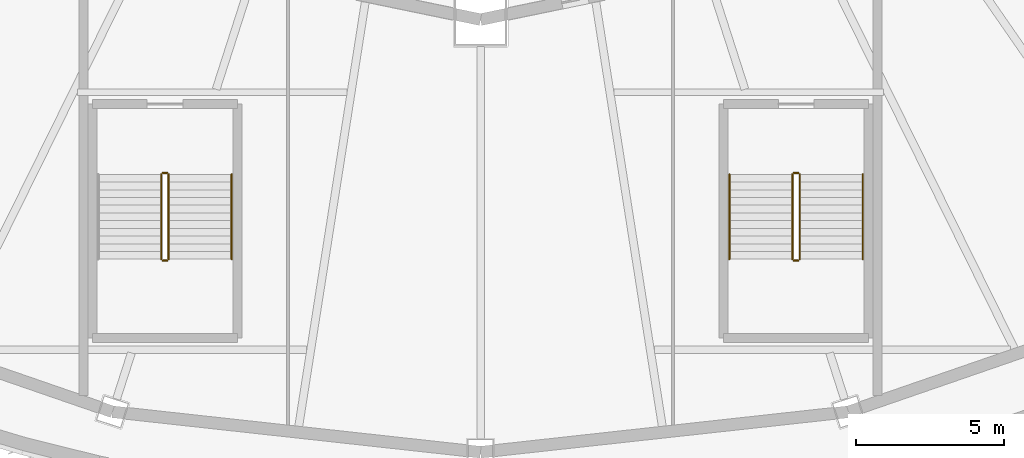
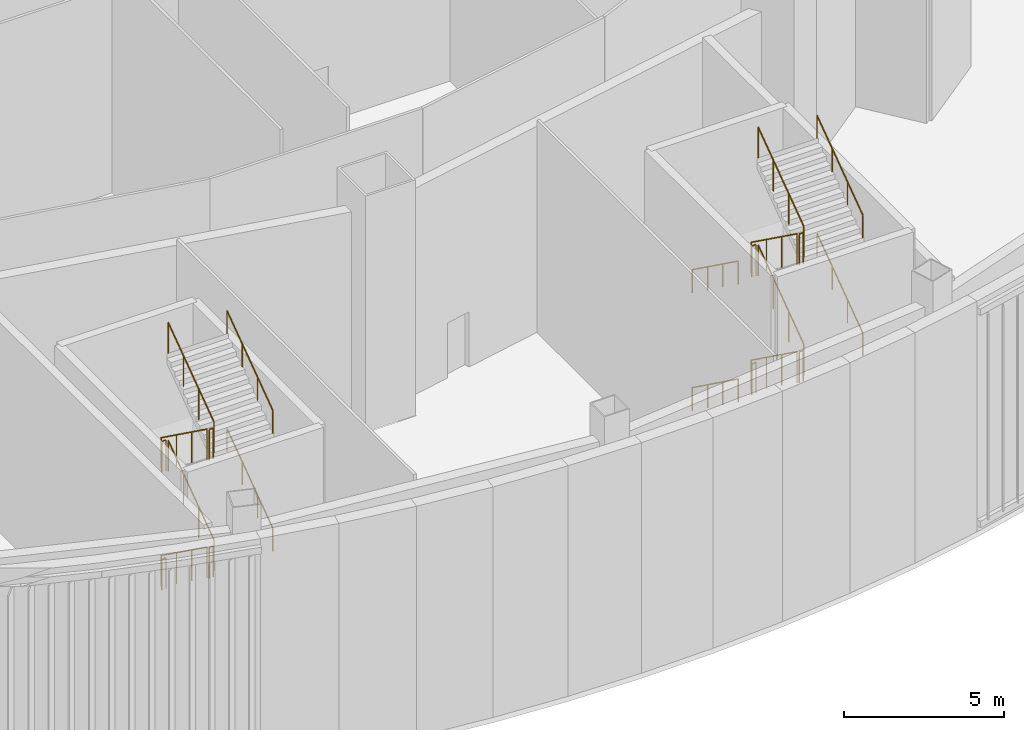
# One storey, part 28 of 35: 22 railings.
"""IFC4 building model written with IfcOpenShell, lengths in metres."""

from ifc_helpers import new_model, si_unit, direction, frame, origin, origin_2d, place, context, subcontext, project, spatial, circle, extrude, material, type_object, element, save


model = new_model("IFC4")

# Units and contexts
model_context = context("Model", 3, precision=1e-05, world=origin(), true_north=direction((0.0, 1.0)))
body_context = subcontext(model_context, "Body", "Model", "MODEL_VIEW")
ifc_project = project(units=[si_unit("LENGTHUNIT", "METRE"), si_unit("AREAUNIT", "SQUARE_METRE"), si_unit("VOLUMEUNIT", "CUBIC_METRE"), si_unit("PLANEANGLEUNIT", "RADIAN"), si_unit("MASSUNIT", "GRAM", prefix="KILO")], contexts=[model_context])

# Site, building, storey
site_placement = place(None, origin())
site = spatial("IfcSite", under=ifc_project, at=site_placement, CompositionType="ELEMENT")
building_placement = place(site_placement, origin())
building = spatial("IfcBuilding", under=site, at=building_placement, Name="Sahrelin Media Tower", CompositionType="ELEMENT")
storey_placement = place(building_placement, frame((0.0, 0.0, 17.0)))
storey = spatial("IfcBuildingStorey", under=building, at=storey_placement, Name="L02", CompositionType="ELEMENT", Elevation=17.0)

# Railings
ifc_material = material(Name="Steel S355", Category="steel")
railing_type_1 = type_object("IfcRailingType", Name="Stair guard 1200", PredefinedType="GUARDRAIL", material=ifc_material)
railing_1_placement = place(storey_placement, frame((-10.77490234375, -30.625, 0.1875)))
element("IfcRailing", 1, at=railing_1_placement, inside=storey, type_object=railing_type_1, Name="L02 PS3 stair guard 1", PredefinedType="GUARDRAIL", context=body_context, shape_type="SweptSolid", body=[
    extrude(circle(Radius=0.02392578125, at=origin_2d()), frame((0.0, 0.0, 1.17578125), z_axis=(0.0, -0.811100754333, 0.584906459462), x_axis=(1.0, 0.0, 0.0)), (0.0, 0.0, 1.0), 3.526123046875),
    extrude(circle(Radius=0.02099609375, at=origin_2d()), origin(), (0.0, 0.0, 1.0), 1.15185546875),
    extrude(circle(Radius=0.02099609375, at=origin_2d()), frame((0.0, -0.953369140625, 0.6875)), (0.0, 0.0, 1.0), 1.15185546875),
    extrude(circle(Radius=0.02099609375, at=origin_2d()), frame((0.0, -1.90673828125, 1.375)), (0.0, 0.0, 1.0), 1.15185546875),
    extrude(circle(Radius=0.02099609375, at=origin_2d()), frame((0.0, -2.860107421875, 2.0625)), (0.0, 0.0, 1.0), 1.15185546875),
])
railing_2_placement = place(storey_placement, frame((-10.72509765625, -33.534912109375, 2.25)))
element("IfcRailing", 2, at=railing_2_placement, inside=storey, type_object=railing_type_1, Name="L02 PS3 stair guard 2", PredefinedType="GUARDRAIL", context=body_context, shape_type="SweptSolid", body=[
    extrude(circle(Radius=0.02392578125, at=origin_2d()), frame((0.0, 0.0, 1.17578125), z_axis=(1.0, 0.0, 0.0), x_axis=(0.0, 1.0, 0.0)), (0.0, 0.0, 1.0), 0.150146484375),
    extrude(circle(Radius=0.02099609375, at=origin_2d()), origin(), (0.0, 0.0, 1.0), 1.15185546875),
    extrude(circle(Radius=0.02099609375, at=origin_2d()), frame((0.150146484375, 0.0, 0.0)), (0.0, 0.0, 1.0), 1.15185546875),
])
railing_3_placement = place(storey_placement, frame((-10.52490234375, -33.485107421875, 2.4375)))
element("IfcRailing", 3, at=railing_3_placement, inside=storey, type_object=railing_type_1, Name="L02 PS3 stair guard 3", PredefinedType="GUARDRAIL", context=body_context, shape_type="SweptSolid", body=[
    extrude(circle(Radius=0.02392578125, at=origin_2d()), frame((0.0, 0.0, 1.17578125), z_axis=(0.0, 0.811100754333, 0.584906459462), x_axis=(-1.0, 0.0, 0.0)), (0.0, 0.0, 1.0), 3.526123046875),
    extrude(circle(Radius=0.02099609375, at=origin_2d()), origin(), (0.0, 0.0, 1.0), 1.15185546875),
    extrude(circle(Radius=0.02099609375, at=origin_2d()), frame((0.0, 0.953369140625, 0.6875)), (0.0, 0.0, 1.0), 1.15185546875),
    extrude(circle(Radius=0.02099609375, at=origin_2d()), frame((0.0, 1.90673828125, 1.375)), (0.0, 0.0, 1.0), 1.15185546875),
    extrude(circle(Radius=0.02099609375, at=origin_2d()), frame((0.0, 2.860107421875, 2.0625)), (0.0, 0.0, 1.0), 1.15185546875),
])
railing_4_placement = place(storey_placement, frame((-10.72509765625, -30.574951171875, 4.5)))
element("IfcRailing", 4, at=railing_4_placement, inside=storey, type_object=railing_type_1, Name="L02 PS3 stair guard 4", PredefinedType="GUARDRAIL", context=body_context, shape_type="SweptSolid", body=[
    extrude(circle(Radius=0.02392578125, at=origin_2d()), frame((0.0, 0.0, 1.17578125), z_axis=(1.0, 0.0, 0.0), x_axis=(0.0, 1.0, 0.0)), (0.0, 0.0, 1.0), 0.150146484375),
    extrude(circle(Radius=0.02099609375, at=origin_2d()), origin(), (0.0, 0.0, 1.0), 1.15185546875),
    extrude(circle(Radius=0.02099609375, at=origin_2d()), frame((0.150146484375, 0.0, 0.0)), (0.0, 0.0, 1.0), 1.15185546875),
])
railing_5_placement = place(storey_placement, frame((-10.77490234375, -30.625, 4.6875)))
element("IfcRailing", 5, at=railing_5_placement, inside=storey, type_object=railing_type_1, Name="L02 PS3 stair guard 5", PredefinedType="GUARDRAIL", context=body_context, shape_type="SweptSolid", body=[
    extrude(circle(Radius=0.02392578125, at=origin_2d()), frame((0.0, 0.0, 1.17578125), z_axis=(0.0, -0.811100754333, 0.584906459462), x_axis=(1.0, 0.0, 0.0)), (0.0, 0.0, 1.0), 3.526123046875),
    extrude(circle(Radius=0.02099609375, at=origin_2d()), origin(), (0.0, 0.0, 1.0), 1.15185546875),
    extrude(circle(Radius=0.02099609375, at=origin_2d()), frame((0.0, -0.953369140625, 0.6875)), (0.0, 0.0, 1.0), 1.15185546875),
    extrude(circle(Radius=0.02099609375, at=origin_2d()), frame((0.0, -1.90673828125, 1.375)), (0.0, 0.0, 1.0), 1.15185546875),
    extrude(circle(Radius=0.02099609375, at=origin_2d()), frame((0.0, -2.860107421875, 2.0625)), (0.0, 0.0, 1.0), 1.15185546875),
])
railing_6_placement = place(storey_placement, frame((-10.72509765625, -33.534912109375, 6.75)))
element("IfcRailing", 6, at=railing_6_placement, inside=storey, type_object=railing_type_1, Name="L02 PS3 stair guard 6", PredefinedType="GUARDRAIL", context=body_context, shape_type="SweptSolid", body=[
    extrude(circle(Radius=0.02392578125, at=origin_2d()), frame((0.0, 0.0, 1.17578125), z_axis=(1.0, 0.0, 0.0), x_axis=(0.0, 1.0, 0.0)), (0.0, 0.0, 1.0), 0.150146484375),
    extrude(circle(Radius=0.02099609375, at=origin_2d()), origin(), (0.0, 0.0, 1.0), 1.15185546875),
    extrude(circle(Radius=0.02099609375, at=origin_2d()), frame((0.150146484375, 0.0, 0.0)), (0.0, 0.0, 1.0), 1.15185546875),
])
railing_7_placement = place(storey_placement, frame((-10.52490234375, -33.485107421875, 6.9375)))
element("IfcRailing", 7, at=railing_7_placement, inside=storey, type_object=railing_type_1, Name="L02 PS3 stair guard 7", PredefinedType="GUARDRAIL", context=body_context, shape_type="SweptSolid", body=[
    extrude(circle(Radius=0.02392578125, at=origin_2d()), frame((0.0, 0.0, 1.17578125), z_axis=(0.0, 0.811100754333, 0.584906459462), x_axis=(-1.0, 0.0, 0.0)), (0.0, 0.0, 1.0), 3.526123046875),
    extrude(circle(Radius=0.02099609375, at=origin_2d()), origin(), (0.0, 0.0, 1.0), 1.15185546875),
    extrude(circle(Radius=0.02099609375, at=origin_2d()), frame((0.0, 0.953369140625, 0.6875)), (0.0, 0.0, 1.0), 1.15185546875),
    extrude(circle(Radius=0.02099609375, at=origin_2d()), frame((0.0, 1.90673828125, 1.375)), (0.0, 0.0, 1.0), 1.15185546875),
    extrude(circle(Radius=0.02099609375, at=origin_2d()), frame((0.0, 2.860107421875, 2.0625)), (0.0, 0.0, 1.0), 1.15185546875),
])
railing_8_placement = place(storey_placement, frame((-10.72509765625, -30.574951171875, 0.0)))
element("IfcRailing", 8, at=railing_8_placement, inside=storey, type_object=railing_type_1, Name="L02 PS3 stair guard 8", PredefinedType="GUARDRAIL", context=body_context, shape_type="SweptSolid", body=[
    extrude(circle(Radius=0.02392578125, at=origin_2d()), frame((0.0, 0.0, 1.17578125), z_axis=(1.0, 0.0, 0.0), x_axis=(0.0, 1.0, 0.0)), (0.0, 0.0, 1.0), 0.150146484375),
    extrude(circle(Radius=0.02099609375, at=origin_2d()), origin(), (0.0, 0.0, 1.0), 1.15185546875),
    extrude(circle(Radius=0.02099609375, at=origin_2d()), frame((0.150146484375, 0.0, 0.0)), (0.0, 0.0, 1.0), 1.15185546875),
])
railing_9_placement = place(storey_placement, frame((10.52490234375, -30.625, 0.1875)))
element("IfcRailing", 9, at=railing_9_placement, inside=storey, type_object=railing_type_1, Name="L02 PS4 stair guard 1", PredefinedType="GUARDRAIL", context=body_context, shape_type="SweptSolid", body=[
    extrude(circle(Radius=0.02392578125, at=origin_2d()), frame((0.0, 0.0, 1.17578125), z_axis=(0.0, -0.811100754333, 0.584906459462), x_axis=(1.0, 0.0, 0.0)), (0.0, 0.0, 1.0), 3.526123046875),
    extrude(circle(Radius=0.02099609375, at=origin_2d()), origin(), (0.0, 0.0, 1.0), 1.15185546875),
    extrude(circle(Radius=0.02099609375, at=origin_2d()), frame((0.0, -0.953369140625, 0.6875)), (0.0, 0.0, 1.0), 1.15185546875),
    extrude(circle(Radius=0.02099609375, at=origin_2d()), frame((0.0, -1.90673828125, 1.375)), (0.0, 0.0, 1.0), 1.15185546875),
    extrude(circle(Radius=0.02099609375, at=origin_2d()), frame((0.0, -2.860107421875, 2.0625)), (0.0, 0.0, 1.0), 1.15185546875),
])
railing_10_placement = place(storey_placement, frame((10.574951171875, -33.534912109375, 2.25)))
element("IfcRailing", 10, at=railing_10_placement, inside=storey, type_object=railing_type_1, Name="L02 PS4 stair guard 2", PredefinedType="GUARDRAIL", context=body_context, shape_type="SweptSolid", body=[
    extrude(circle(Radius=0.02392578125, at=origin_2d()), frame((0.0, 0.0, 1.17578125), z_axis=(1.0, 0.0, 0.0), x_axis=(0.0, 1.0, 0.0)), (0.0, 0.0, 1.0), 0.150146484375),
    extrude(circle(Radius=0.02099609375, at=origin_2d()), origin(), (0.0, 0.0, 1.0), 1.15185546875),
    extrude(circle(Radius=0.02099609375, at=origin_2d()), frame((0.150146484375, 0.0, 0.0)), (0.0, 0.0, 1.0), 1.15185546875),
])
railing_11_placement = place(storey_placement, frame((10.77490234375, -33.485107421875, 2.4375)))
element("IfcRailing", 11, at=railing_11_placement, inside=storey, type_object=railing_type_1, Name="L02 PS4 stair guard 3", PredefinedType="GUARDRAIL", context=body_context, shape_type="SweptSolid", body=[
    extrude(circle(Radius=0.02392578125, at=origin_2d()), frame((0.0, 0.0, 1.17578125), z_axis=(0.0, 0.811100754333, 0.584906459462), x_axis=(-1.0, 0.0, 0.0)), (0.0, 0.0, 1.0), 3.526123046875),
    extrude(circle(Radius=0.02099609375, at=origin_2d()), origin(), (0.0, 0.0, 1.0), 1.15185546875),
    extrude(circle(Radius=0.02099609375, at=origin_2d()), frame((0.0, 0.953369140625, 0.6875)), (0.0, 0.0, 1.0), 1.15185546875),
    extrude(circle(Radius=0.02099609375, at=origin_2d()), frame((0.0, 1.90673828125, 1.375)), (0.0, 0.0, 1.0), 1.15185546875),
    extrude(circle(Radius=0.02099609375, at=origin_2d()), frame((0.0, 2.860107421875, 2.0625)), (0.0, 0.0, 1.0), 1.15185546875),
])
railing_12_placement = place(storey_placement, frame((10.574951171875, -30.574951171875, 4.5)))
element("IfcRailing", 12, at=railing_12_placement, inside=storey, type_object=railing_type_1, Name="L02 PS4 stair guard 4", PredefinedType="GUARDRAIL", context=body_context, shape_type="SweptSolid", body=[
    extrude(circle(Radius=0.02392578125, at=origin_2d()), frame((0.0, 0.0, 1.17578125), z_axis=(1.0, 0.0, 0.0), x_axis=(0.0, 1.0, 0.0)), (0.0, 0.0, 1.0), 0.150146484375),
    extrude(circle(Radius=0.02099609375, at=origin_2d()), origin(), (0.0, 0.0, 1.0), 1.15185546875),
    extrude(circle(Radius=0.02099609375, at=origin_2d()), frame((0.150146484375, 0.0, 0.0)), (0.0, 0.0, 1.0), 1.15185546875),
])
railing_13_placement = place(storey_placement, frame((10.52490234375, -30.625, 4.6875)))
element("IfcRailing", 13, at=railing_13_placement, inside=storey, type_object=railing_type_1, Name="L02 PS4 stair guard 5", PredefinedType="GUARDRAIL", context=body_context, shape_type="SweptSolid", body=[
    extrude(circle(Radius=0.02392578125, at=origin_2d()), frame((0.0, 0.0, 1.17578125), z_axis=(0.0, -0.811100754333, 0.584906459462), x_axis=(1.0, 0.0, 0.0)), (0.0, 0.0, 1.0), 3.526123046875),
    extrude(circle(Radius=0.02099609375, at=origin_2d()), origin(), (0.0, 0.0, 1.0), 1.15185546875),
    extrude(circle(Radius=0.02099609375, at=origin_2d()), frame((0.0, -0.953369140625, 0.6875)), (0.0, 0.0, 1.0), 1.15185546875),
    extrude(circle(Radius=0.02099609375, at=origin_2d()), frame((0.0, -1.90673828125, 1.375)), (0.0, 0.0, 1.0), 1.15185546875),
    extrude(circle(Radius=0.02099609375, at=origin_2d()), frame((0.0, -2.860107421875, 2.0625)), (0.0, 0.0, 1.0), 1.15185546875),
])
railing_14_placement = place(storey_placement, frame((10.574951171875, -33.534912109375, 6.75)))
element("IfcRailing", 14, at=railing_14_placement, inside=storey, type_object=railing_type_1, Name="L02 PS4 stair guard 6", PredefinedType="GUARDRAIL", context=body_context, shape_type="SweptSolid", body=[
    extrude(circle(Radius=0.02392578125, at=origin_2d()), frame((0.0, 0.0, 1.17578125), z_axis=(1.0, 0.0, 0.0), x_axis=(0.0, 1.0, 0.0)), (0.0, 0.0, 1.0), 0.150146484375),
    extrude(circle(Radius=0.02099609375, at=origin_2d()), origin(), (0.0, 0.0, 1.0), 1.15185546875),
    extrude(circle(Radius=0.02099609375, at=origin_2d()), frame((0.150146484375, 0.0, 0.0)), (0.0, 0.0, 1.0), 1.15185546875),
])
railing_15_placement = place(storey_placement, frame((10.77490234375, -33.485107421875, 6.9375)))
element("IfcRailing", 15, at=railing_15_placement, inside=storey, type_object=railing_type_1, Name="L02 PS4 stair guard 7", PredefinedType="GUARDRAIL", context=body_context, shape_type="SweptSolid", body=[
    extrude(circle(Radius=0.02392578125, at=origin_2d()), frame((0.0, 0.0, 1.17578125), z_axis=(0.0, 0.811100754333, 0.584906459462), x_axis=(-1.0, 0.0, 0.0)), (0.0, 0.0, 1.0), 3.526123046875),
    extrude(circle(Radius=0.02099609375, at=origin_2d()), origin(), (0.0, 0.0, 1.0), 1.15185546875),
    extrude(circle(Radius=0.02099609375, at=origin_2d()), frame((0.0, 0.953369140625, 0.6875)), (0.0, 0.0, 1.0), 1.15185546875),
    extrude(circle(Radius=0.02099609375, at=origin_2d()), frame((0.0, 1.90673828125, 1.375)), (0.0, 0.0, 1.0), 1.15185546875),
    extrude(circle(Radius=0.02099609375, at=origin_2d()), frame((0.0, 2.860107421875, 2.0625)), (0.0, 0.0, 1.0), 1.15185546875),
])
railing_16_placement = place(storey_placement, frame((10.574951171875, -30.574951171875, 0.0)))
element("IfcRailing", 16, at=railing_16_placement, inside=storey, type_object=railing_type_1, Name="L02 PS4 stair guard 8", PredefinedType="GUARDRAIL", context=body_context, shape_type="SweptSolid", body=[
    extrude(circle(Radius=0.02392578125, at=origin_2d()), frame((0.0, 0.0, 1.17578125), z_axis=(1.0, 0.0, 0.0), x_axis=(0.0, 1.0, 0.0)), (0.0, 0.0, 1.0), 0.150146484375),
    extrude(circle(Radius=0.02099609375, at=origin_2d()), origin(), (0.0, 0.0, 1.0), 1.15185546875),
    extrude(circle(Radius=0.02099609375, at=origin_2d()), frame((0.150146484375, 0.0, 0.0)), (0.0, 0.0, 1.0), 1.15185546875),
])
railing_type_2 = type_object("IfcRailingType", Name="Stair handrail 900", PredefinedType="HANDRAIL", material=ifc_material)
for number, where, name in (
    (17, (-8.39990234375, -33.485107421875, 2.4375), "L02 PS3 stair handrail 2"),
    (18, (-8.39990234375, -33.485107421875, 6.9375), "L02 PS3 stair handrail 4"),
):
    element("IfcRailing", number, at=place(storey_placement, frame(where)), inside=storey, type_object=railing_type_2, Name=name, PredefinedType="HANDRAIL", context=body_context, shape_type="SweptSolid", body=[
        extrude(circle(Radius=0.02392578125, at=origin_2d()), frame((0.0, 0.0, 0.8759765625), z_axis=(0.0, 0.811100754333, 0.584906459462), x_axis=(-1.0, 0.0, 0.0)), (0.0, 0.0, 1.0), 3.526123046875),
        extrude(circle(Radius=0.02099609375, at=origin_2d()), origin(), (0.0, 0.0, 1.0), 0.851806640625),
        extrude(circle(Radius=0.02099609375, at=origin_2d()), frame((0.0, 0.953369140625, 0.6875)), (0.0, 0.0, 1.0), 0.851806640625),
        extrude(circle(Radius=0.02099609375, at=origin_2d()), frame((0.0, 1.90673828125, 1.375)), (0.0, 0.0, 1.0), 0.851806640625),
        extrude(circle(Radius=0.02099609375, at=origin_2d()), frame((0.0, 2.860107421875, 2.0625)), (0.0, 0.0, 1.0), 0.851806640625),
    ])
railing_17_placement = place(storey_placement, frame((8.39990234375, -30.625, 0.1875)))
element("IfcRailing", 19, at=railing_17_placement, inside=storey, type_object=railing_type_2, Name="L02 PS4 stair handrail 1", PredefinedType="HANDRAIL", context=body_context, shape_type="SweptSolid", body=[
    extrude(circle(Radius=0.02392578125, at=origin_2d()), frame((0.0, 0.0, 0.8759765625), z_axis=(0.0, -0.811100754333, 0.584906459462), x_axis=(1.0, 0.0, 0.0)), (0.0, 0.0, 1.0), 3.526123046875),
    extrude(circle(Radius=0.02099609375, at=origin_2d()), origin(), (0.0, 0.0, 1.0), 0.851806640625),
    extrude(circle(Radius=0.02099609375, at=origin_2d()), frame((0.0, -0.953369140625, 0.6875)), (0.0, 0.0, 1.0), 0.851806640625),
    extrude(circle(Radius=0.02099609375, at=origin_2d()), frame((0.0, -1.90673828125, 1.375)), (0.0, 0.0, 1.0), 0.851806640625),
    extrude(circle(Radius=0.02099609375, at=origin_2d()), frame((0.0, -2.860107421875, 2.0625)), (0.0, 0.0, 1.0), 0.851806640625),
])
railing_18_placement = place(storey_placement, frame((12.89990234375, -33.485107421875, 2.4375)))
element("IfcRailing", 20, at=railing_18_placement, inside=storey, type_object=railing_type_2, Name="L02 PS4 stair handrail 2", PredefinedType="HANDRAIL", context=body_context, shape_type="SweptSolid", body=[
    extrude(circle(Radius=0.02392578125, at=origin_2d()), frame((0.0, 0.0, 0.8759765625), z_axis=(0.0, 0.811100754333, 0.584906459462), x_axis=(-1.0, 0.0, 0.0)), (0.0, 0.0, 1.0), 3.526123046875),
    extrude(circle(Radius=0.02099609375, at=origin_2d()), origin(), (0.0, 0.0, 1.0), 0.851806640625),
    extrude(circle(Radius=0.02099609375, at=origin_2d()), frame((0.0, 0.953369140625, 0.6875)), (0.0, 0.0, 1.0), 0.851806640625),
    extrude(circle(Radius=0.02099609375, at=origin_2d()), frame((0.0, 1.90673828125, 1.375)), (0.0, 0.0, 1.0), 0.851806640625),
    extrude(circle(Radius=0.02099609375, at=origin_2d()), frame((0.0, 2.860107421875, 2.0625)), (0.0, 0.0, 1.0), 0.851806640625),
])
railing_19_placement = place(storey_placement, frame((8.39990234375, -30.625, 4.6875)))
element("IfcRailing", 21, at=railing_19_placement, inside=storey, type_object=railing_type_2, Name="L02 PS4 stair handrail 3", PredefinedType="HANDRAIL", context=body_context, shape_type="SweptSolid", body=[
    extrude(circle(Radius=0.02392578125, at=origin_2d()), frame((0.0, 0.0, 0.8759765625), z_axis=(0.0, -0.811100754333, 0.584906459462), x_axis=(1.0, 0.0, 0.0)), (0.0, 0.0, 1.0), 3.526123046875),
    extrude(circle(Radius=0.02099609375, at=origin_2d()), origin(), (0.0, 0.0, 1.0), 0.851806640625),
    extrude(circle(Radius=0.02099609375, at=origin_2d()), frame((0.0, -0.953369140625, 0.6875)), (0.0, 0.0, 1.0), 0.851806640625),
    extrude(circle(Radius=0.02099609375, at=origin_2d()), frame((0.0, -1.90673828125, 1.375)), (0.0, 0.0, 1.0), 0.851806640625),
    extrude(circle(Radius=0.02099609375, at=origin_2d()), frame((0.0, -2.860107421875, 2.0625)), (0.0, 0.0, 1.0), 0.851806640625),
])
railing_20_placement = place(storey_placement, frame((12.89990234375, -33.485107421875, 6.9375)))
element("IfcRailing", 22, at=railing_20_placement, inside=storey, type_object=railing_type_2, Name="L02 PS4 stair handrail 4", PredefinedType="HANDRAIL", context=body_context, shape_type="SweptSolid", body=[
    extrude(circle(Radius=0.02392578125, at=origin_2d()), frame((0.0, 0.0, 0.8759765625), z_axis=(0.0, 0.811100754333, 0.584906459462), x_axis=(-1.0, 0.0, 0.0)), (0.0, 0.0, 1.0), 3.526123046875),
    extrude(circle(Radius=0.02099609375, at=origin_2d()), origin(), (0.0, 0.0, 1.0), 0.851806640625),
    extrude(circle(Radius=0.02099609375, at=origin_2d()), frame((0.0, 0.953369140625, 0.6875)), (0.0, 0.0, 1.0), 0.851806640625),
    extrude(circle(Radius=0.02099609375, at=origin_2d()), frame((0.0, 1.90673828125, 1.375)), (0.0, 0.0, 1.0), 0.851806640625),
    extrude(circle(Radius=0.02099609375, at=origin_2d()), frame((0.0, 2.860107421875, 2.0625)), (0.0, 0.0, 1.0), 0.851806640625),
])

save(model, "model.ifc")
